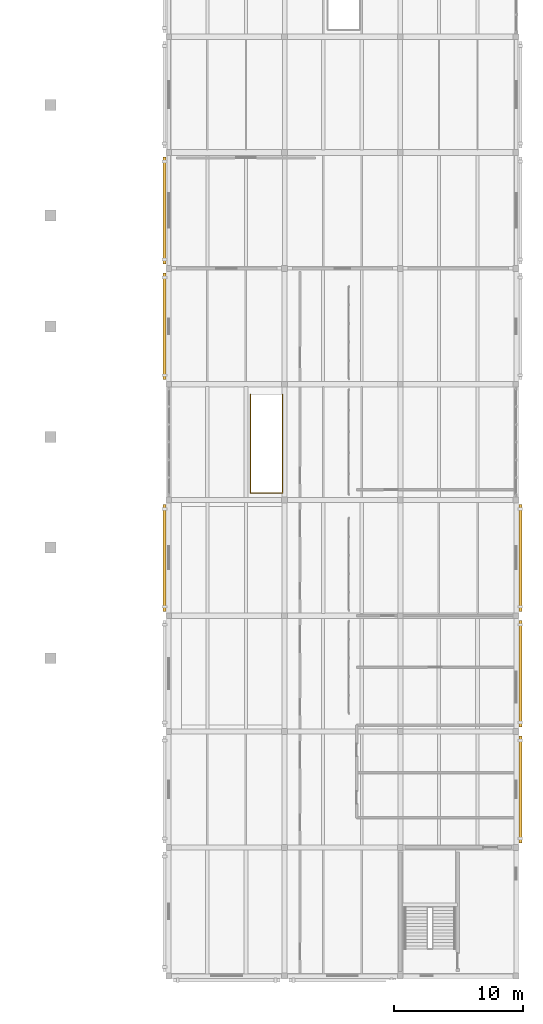
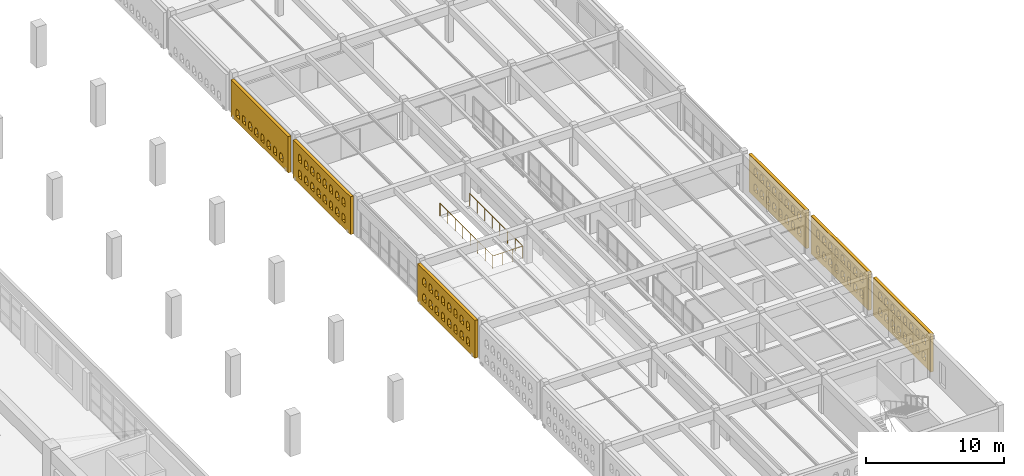
# One storey, part 78 of 80: 6 coverings, 1 railing.
"""IFC4 building model written with IfcOpenShell, lengths in metres."""

from ifc_helpers import new_model, si_unit, direction, frame, origin, origin_2d, place, context, subcontext, project, spatial, polyline, circle, outline, extrude, material, layer, layer_set, type_object, element, save


model = new_model("IFC4")

# Units and contexts
model_context = context("Model", 3, precision=1e-05, world=origin(), true_north=direction((0.0, 1.0)))
body_context = subcontext(model_context, "Body", "Model", "MODEL_VIEW")
ifc_project = project(units=[si_unit("LENGTHUNIT", "METRE"), si_unit("AREAUNIT", "SQUARE_METRE"), si_unit("VOLUMEUNIT", "CUBIC_METRE"), si_unit("PLANEANGLEUNIT", "RADIAN"), si_unit("MASSUNIT", "GRAM", prefix="KILO")], contexts=[model_context])

# Site, building, storey
site_placement = place(None, origin())
site = spatial("IfcSite", under=ifc_project, at=site_placement, CompositionType="ELEMENT")
building_placement = place(site_placement, origin())
building = spatial("IfcBuilding", under=site, at=building_placement, Name="Ornek Quay Market", CompositionType="ELEMENT")
storey_placement = place(building_placement, frame((0.0, 0.0, 8.39990234375)))
storey = spatial("IfcBuildingStorey", under=building, at=storey_placement, Name="L02", CompositionType="ELEMENT", Elevation=8.39990234375)

# Coverings
ifc_material_1 = material(Name="Frost-resistant facing clay brick M200 F100", Category="masonry")
ifc_layer = layer(ifc_material_1, 0.25, Name="Frost-resistant facing clay brick M200 F100", Category="masonry")
ifc_layer_set = layer_set([ifc_layer], Name="Frost-resistant facing clay brick M200 F100")
covering_type = type_object("IfcCoveringType", Name="COV-BRICK-LATTICE-250", PredefinedType="CLADDING", material=ifc_layer_set)
covering_1_placement = place(storey_placement, frame((152.669921875, 65.35009765625, 0.0), z_axis=(0.0, 0.0, 1.0), x_axis=(0.0, 1.0, 0.0)))
element("IfcCovering", 1, at=covering_1_placement, inside=storey, type_object=covering_type, Name="Arched brick lattice screen BLS-079", PredefinedType="CLADDING", context=body_context, shape_type="SweptSolid", body=[
    extrude(outline(polyline([(0.0, 0.0), (8.2998046875, 0.0), (8.2998046875, 3.2001953125), (0.0, 3.2001953125), (0.0, 0.0)]), holes=[polyline([(0.760009765625, 0.449951171875), (1.239990234375, 0.449951171875), (1.239990234375, 0.949951171875), (1.1201171875, 1.15771484375), (0.8798828125, 1.15771484375), (0.760009765625, 0.949951171875), (0.760009765625, 0.449951171875)]), polyline([(1.659912109375, 0.449951171875), (2.139892578125, 0.449951171875), (2.139892578125, 0.949951171875), (2.02001953125, 1.15771484375), (1.780029296875, 1.15771484375), (1.659912109375, 0.949951171875), (1.659912109375, 0.449951171875)]), polyline([(2.56005859375, 0.449951171875), (3.0400390625, 0.449951171875), (3.0400390625, 0.949951171875), (2.919921875, 1.15771484375), (2.679931640625, 1.15771484375), (2.56005859375, 0.949951171875), (2.56005859375, 0.449951171875)]), polyline([(3.4599609375, 0.449951171875), (3.93994140625, 0.449951171875), (3.93994140625, 0.949951171875), (3.820068359375, 1.15771484375), (3.580078125, 1.15771484375), (3.4599609375, 0.949951171875), (3.4599609375, 0.449951171875)]), polyline([(4.360107421875, 0.449951171875), (4.840087890625, 0.449951171875), (4.840087890625, 0.949951171875), (4.719970703125, 1.15771484375), (4.47998046875, 1.15771484375), (4.360107421875, 0.949951171875), (4.360107421875, 0.449951171875)]), polyline([(5.260009765625, 0.449951171875), (5.739990234375, 0.449951171875), (5.739990234375, 0.949951171875), (5.6201171875, 1.15771484375), (5.3798828125, 1.15771484375), (5.260009765625, 0.949951171875), (5.260009765625, 0.449951171875)]), polyline([(6.159912109375, 0.449951171875), (6.639892578125, 0.449951171875), (6.639892578125, 0.949951171875), (6.52001953125, 1.15771484375), (6.280029296875, 1.15771484375), (6.159912109375, 0.949951171875), (6.159912109375, 0.449951171875)]), polyline([(7.06005859375, 0.449951171875), (7.5400390625, 0.449951171875), (7.5400390625, 0.949951171875), (7.419921875, 1.15771484375), (7.179931640625, 1.15771484375), (7.06005859375, 0.949951171875), (7.06005859375, 0.449951171875)])]), frame((0.0, 0.125, 0.0), z_axis=(0.0, -1.0, 0.0), x_axis=(1.0, 0.0, 0.0)), (0.0, 0.0, 1.0), 0.25),
])
covering_2_placement = place(storey_placement, frame((152.669921875, 38.35009765625, 0.0), z_axis=(0.0, 0.0, 1.0), x_axis=(0.0, 1.0, 0.0)))
element("IfcCovering", 2, at=covering_2_placement, inside=storey, type_object=covering_type, Name="Arched brick lattice screen BLS-111", PredefinedType="CLADDING", context=body_context, shape_type="SweptSolid", body=[
    extrude(outline(polyline([(0.0, 0.0), (8.2998046875, 0.0), (8.2998046875, 3.35009765625), (0.0, 3.35009765625), (0.0, 0.0)]), holes=[polyline([(0.760009765625, 0.550048828125), (1.239990234375, 0.550048828125), (1.239990234375, 1.050048828125), (1.1201171875, 1.2578125), (0.8798828125, 1.2578125), (0.760009765625, 1.050048828125), (0.760009765625, 0.550048828125)]), polyline([(0.760009765625, 1.949951171875), (1.239990234375, 1.949951171875), (1.239990234375, 2.449951171875), (1.1201171875, 2.65771484375), (0.8798828125, 2.65771484375), (0.760009765625, 2.449951171875), (0.760009765625, 1.949951171875)]), polyline([(1.659912109375, 0.550048828125), (2.139892578125, 0.550048828125), (2.139892578125, 1.050048828125), (2.02001953125, 1.2578125), (1.780029296875, 1.2578125), (1.659912109375, 1.050048828125), (1.659912109375, 0.550048828125)]), polyline([(1.659912109375, 1.949951171875), (2.139892578125, 1.949951171875), (2.139892578125, 2.449951171875), (2.02001953125, 2.65771484375), (1.780029296875, 2.65771484375), (1.659912109375, 2.449951171875), (1.659912109375, 1.949951171875)]), polyline([(2.56005859375, 0.550048828125), (3.0400390625, 0.550048828125), (3.0400390625, 1.050048828125), (2.919921875, 1.2578125), (2.679931640625, 1.2578125), (2.56005859375, 1.050048828125), (2.56005859375, 0.550048828125)]), polyline([(2.56005859375, 1.949951171875), (3.0400390625, 1.949951171875), (3.0400390625, 2.449951171875), (2.919921875, 2.65771484375), (2.679931640625, 2.65771484375), (2.56005859375, 2.449951171875), (2.56005859375, 1.949951171875)]), polyline([(3.4599609375, 0.550048828125), (3.93994140625, 0.550048828125), (3.93994140625, 1.050048828125), (3.820068359375, 1.2578125), (3.580078125, 1.2578125), (3.4599609375, 1.050048828125), (3.4599609375, 0.550048828125)]), polyline([(3.4599609375, 1.949951171875), (3.93994140625, 1.949951171875), (3.93994140625, 2.449951171875), (3.820068359375, 2.65771484375), (3.580078125, 2.65771484375), (3.4599609375, 2.449951171875), (3.4599609375, 1.949951171875)]), polyline([(4.360107421875, 0.550048828125), (4.840087890625, 0.550048828125), (4.840087890625, 1.050048828125), (4.719970703125, 1.2578125), (4.47998046875, 1.2578125), (4.360107421875, 1.050048828125), (4.360107421875, 0.550048828125)]), polyline([(4.360107421875, 1.949951171875), (4.840087890625, 1.949951171875), (4.840087890625, 2.449951171875), (4.719970703125, 2.65771484375), (4.47998046875, 2.65771484375), (4.360107421875, 2.449951171875), (4.360107421875, 1.949951171875)]), polyline([(5.260009765625, 0.550048828125), (5.739990234375, 0.550048828125), (5.739990234375, 1.050048828125), (5.6201171875, 1.2578125), (5.3798828125, 1.2578125), (5.260009765625, 1.050048828125), (5.260009765625, 0.550048828125)]), polyline([(5.260009765625, 1.949951171875), (5.739990234375, 1.949951171875), (5.739990234375, 2.449951171875), (5.6201171875, 2.65771484375), (5.3798828125, 2.65771484375), (5.260009765625, 2.449951171875), (5.260009765625, 1.949951171875)]), polyline([(6.159912109375, 0.550048828125), (6.639892578125, 0.550048828125), (6.639892578125, 1.050048828125), (6.52001953125, 1.2578125), (6.280029296875, 1.2578125), (6.159912109375, 1.050048828125), (6.159912109375, 0.550048828125)]), polyline([(6.159912109375, 1.949951171875), (6.639892578125, 1.949951171875), (6.639892578125, 2.449951171875), (6.52001953125, 2.65771484375), (6.280029296875, 2.65771484375), (6.159912109375, 2.449951171875), (6.159912109375, 1.949951171875)]), polyline([(7.06005859375, 0.550048828125), (7.5400390625, 0.550048828125), (7.5400390625, 1.050048828125), (7.419921875, 1.2578125), (7.179931640625, 1.2578125), (7.06005859375, 1.050048828125), (7.06005859375, 0.550048828125)]), polyline([(7.06005859375, 1.949951171875), (7.5400390625, 1.949951171875), (7.5400390625, 2.449951171875), (7.419921875, 2.65771484375), (7.179931640625, 2.65771484375), (7.06005859375, 2.449951171875), (7.06005859375, 1.949951171875)])]), frame((0.0, 0.125, 0.0), z_axis=(0.0, -1.0, 0.0), x_axis=(1.0, 0.0, 0.0)), (0.0, 0.0, 1.0), 0.25),
])
covering_3_placement = place(storey_placement, frame((152.669921875, 56.35009765625, 0.0), z_axis=(0.0, 0.0, 1.0), x_axis=(0.0, 1.0, 0.0)))
element("IfcCovering", 3, at=covering_3_placement, inside=storey, type_object=covering_type, Name="Arched brick lattice screen BLS-112", PredefinedType="CLADDING", context=body_context, shape_type="SweptSolid", body=[
    extrude(outline(polyline([(0.0, 0.0), (8.2998046875, 0.0), (8.2998046875, 3.35009765625), (0.0, 3.35009765625), (0.0, 0.0)]), holes=[polyline([(0.760009765625, 0.550048828125), (1.239990234375, 0.550048828125), (1.239990234375, 1.050048828125), (1.1201171875, 1.2578125), (0.8798828125, 1.2578125), (0.760009765625, 1.050048828125), (0.760009765625, 0.550048828125)]), polyline([(0.760009765625, 1.949951171875), (1.239990234375, 1.949951171875), (1.239990234375, 2.449951171875), (1.1201171875, 2.65771484375), (0.8798828125, 2.65771484375), (0.760009765625, 2.449951171875), (0.760009765625, 1.949951171875)]), polyline([(1.659912109375, 0.550048828125), (2.139892578125, 0.550048828125), (2.139892578125, 1.050048828125), (2.02001953125, 1.2578125), (1.780029296875, 1.2578125), (1.659912109375, 1.050048828125), (1.659912109375, 0.550048828125)]), polyline([(1.659912109375, 1.949951171875), (2.139892578125, 1.949951171875), (2.139892578125, 2.449951171875), (2.02001953125, 2.65771484375), (1.780029296875, 2.65771484375), (1.659912109375, 2.449951171875), (1.659912109375, 1.949951171875)]), polyline([(2.56005859375, 0.550048828125), (3.0400390625, 0.550048828125), (3.0400390625, 1.050048828125), (2.919921875, 1.2578125), (2.679931640625, 1.2578125), (2.56005859375, 1.050048828125), (2.56005859375, 0.550048828125)]), polyline([(2.56005859375, 1.949951171875), (3.0400390625, 1.949951171875), (3.0400390625, 2.449951171875), (2.919921875, 2.65771484375), (2.679931640625, 2.65771484375), (2.56005859375, 2.449951171875), (2.56005859375, 1.949951171875)]), polyline([(3.4599609375, 0.550048828125), (3.93994140625, 0.550048828125), (3.93994140625, 1.050048828125), (3.820068359375, 1.2578125), (3.580078125, 1.2578125), (3.4599609375, 1.050048828125), (3.4599609375, 0.550048828125)]), polyline([(3.4599609375, 1.949951171875), (3.93994140625, 1.949951171875), (3.93994140625, 2.449951171875), (3.820068359375, 2.65771484375), (3.580078125, 2.65771484375), (3.4599609375, 2.449951171875), (3.4599609375, 1.949951171875)]), polyline([(4.360107421875, 0.550048828125), (4.840087890625, 0.550048828125), (4.840087890625, 1.050048828125), (4.719970703125, 1.2578125), (4.47998046875, 1.2578125), (4.360107421875, 1.050048828125), (4.360107421875, 0.550048828125)]), polyline([(4.360107421875, 1.949951171875), (4.840087890625, 1.949951171875), (4.840087890625, 2.449951171875), (4.719970703125, 2.65771484375), (4.47998046875, 2.65771484375), (4.360107421875, 2.449951171875), (4.360107421875, 1.949951171875)]), polyline([(5.260009765625, 0.550048828125), (5.739990234375, 0.550048828125), (5.739990234375, 1.050048828125), (5.6201171875, 1.2578125), (5.3798828125, 1.2578125), (5.260009765625, 1.050048828125), (5.260009765625, 0.550048828125)]), polyline([(5.260009765625, 1.949951171875), (5.739990234375, 1.949951171875), (5.739990234375, 2.449951171875), (5.6201171875, 2.65771484375), (5.3798828125, 2.65771484375), (5.260009765625, 2.449951171875), (5.260009765625, 1.949951171875)]), polyline([(6.159912109375, 0.550048828125), (6.639892578125, 0.550048828125), (6.639892578125, 1.050048828125), (6.52001953125, 1.2578125), (6.280029296875, 1.2578125), (6.159912109375, 1.050048828125), (6.159912109375, 0.550048828125)]), polyline([(6.159912109375, 1.949951171875), (6.639892578125, 1.949951171875), (6.639892578125, 2.449951171875), (6.52001953125, 2.65771484375), (6.280029296875, 2.65771484375), (6.159912109375, 2.449951171875), (6.159912109375, 1.949951171875)]), polyline([(7.06005859375, 0.550048828125), (7.5400390625, 0.550048828125), (7.5400390625, 1.050048828125), (7.419921875, 1.2578125), (7.179931640625, 1.2578125), (7.06005859375, 1.050048828125), (7.06005859375, 0.550048828125)]), polyline([(7.06005859375, 1.949951171875), (7.5400390625, 1.949951171875), (7.5400390625, 2.449951171875), (7.419921875, 2.65771484375), (7.179931640625, 2.65771484375), (7.06005859375, 2.449951171875), (7.06005859375, 1.949951171875)])]), frame((0.0, 0.125, 0.0), z_axis=(0.0, -1.0, 0.0), x_axis=(1.0, 0.0, 0.0)), (0.0, 0.0, 1.0), 0.25),
])
covering_4_placement = place(storey_placement, frame((180.330078125, 20.35009765625, 0.0), z_axis=(0.0, 0.0, 1.0), x_axis=(0.0, 1.0, 0.0)))
element("IfcCovering", 4, at=covering_4_placement, inside=storey, type_object=covering_type, Name="Arched brick lattice screen BLS-113", PredefinedType="CLADDING", context=body_context, shape_type="SweptSolid", body=[
    extrude(outline(polyline([(0.0, 0.0), (8.2998046875, 0.0), (8.2998046875, 3.35009765625), (0.0, 3.35009765625), (0.0, 0.0)]), holes=[polyline([(0.760009765625, 0.550048828125), (1.239990234375, 0.550048828125), (1.239990234375, 1.050048828125), (1.1201171875, 1.2578125), (0.8798828125, 1.2578125), (0.760009765625, 1.050048828125), (0.760009765625, 0.550048828125)]), polyline([(0.760009765625, 1.949951171875), (1.239990234375, 1.949951171875), (1.239990234375, 2.449951171875), (1.1201171875, 2.65771484375), (0.8798828125, 2.65771484375), (0.760009765625, 2.449951171875), (0.760009765625, 1.949951171875)]), polyline([(1.659912109375, 0.550048828125), (2.139892578125, 0.550048828125), (2.139892578125, 1.050048828125), (2.02001953125, 1.2578125), (1.780029296875, 1.2578125), (1.659912109375, 1.050048828125), (1.659912109375, 0.550048828125)]), polyline([(1.659912109375, 1.949951171875), (2.139892578125, 1.949951171875), (2.139892578125, 2.449951171875), (2.02001953125, 2.65771484375), (1.780029296875, 2.65771484375), (1.659912109375, 2.449951171875), (1.659912109375, 1.949951171875)]), polyline([(2.56005859375, 0.550048828125), (3.0400390625, 0.550048828125), (3.0400390625, 1.050048828125), (2.919921875, 1.2578125), (2.679931640625, 1.2578125), (2.56005859375, 1.050048828125), (2.56005859375, 0.550048828125)]), polyline([(2.56005859375, 1.949951171875), (3.0400390625, 1.949951171875), (3.0400390625, 2.449951171875), (2.919921875, 2.65771484375), (2.679931640625, 2.65771484375), (2.56005859375, 2.449951171875), (2.56005859375, 1.949951171875)]), polyline([(3.4599609375, 0.550048828125), (3.93994140625, 0.550048828125), (3.93994140625, 1.050048828125), (3.820068359375, 1.2578125), (3.580078125, 1.2578125), (3.4599609375, 1.050048828125), (3.4599609375, 0.550048828125)]), polyline([(3.4599609375, 1.949951171875), (3.93994140625, 1.949951171875), (3.93994140625, 2.449951171875), (3.820068359375, 2.65771484375), (3.580078125, 2.65771484375), (3.4599609375, 2.449951171875), (3.4599609375, 1.949951171875)]), polyline([(4.360107421875, 0.550048828125), (4.840087890625, 0.550048828125), (4.840087890625, 1.050048828125), (4.719970703125, 1.2578125), (4.47998046875, 1.2578125), (4.360107421875, 1.050048828125), (4.360107421875, 0.550048828125)]), polyline([(4.360107421875, 1.949951171875), (4.840087890625, 1.949951171875), (4.840087890625, 2.449951171875), (4.719970703125, 2.65771484375), (4.47998046875, 2.65771484375), (4.360107421875, 2.449951171875), (4.360107421875, 1.949951171875)]), polyline([(5.260009765625, 0.550048828125), (5.739990234375, 0.550048828125), (5.739990234375, 1.050048828125), (5.6201171875, 1.2578125), (5.3798828125, 1.2578125), (5.260009765625, 1.050048828125), (5.260009765625, 0.550048828125)]), polyline([(5.260009765625, 1.949951171875), (5.739990234375, 1.949951171875), (5.739990234375, 2.449951171875), (5.6201171875, 2.65771484375), (5.3798828125, 2.65771484375), (5.260009765625, 2.449951171875), (5.260009765625, 1.949951171875)]), polyline([(6.159912109375, 0.550048828125), (6.639892578125, 0.550048828125), (6.639892578125, 1.050048828125), (6.52001953125, 1.2578125), (6.280029296875, 1.2578125), (6.159912109375, 1.050048828125), (6.159912109375, 0.550048828125)]), polyline([(6.159912109375, 1.949951171875), (6.639892578125, 1.949951171875), (6.639892578125, 2.449951171875), (6.52001953125, 2.65771484375), (6.280029296875, 2.65771484375), (6.159912109375, 2.449951171875), (6.159912109375, 1.949951171875)]), polyline([(7.06005859375, 0.550048828125), (7.5400390625, 0.550048828125), (7.5400390625, 1.050048828125), (7.419921875, 1.2578125), (7.179931640625, 1.2578125), (7.06005859375, 1.050048828125), (7.06005859375, 0.550048828125)]), polyline([(7.06005859375, 1.949951171875), (7.5400390625, 1.949951171875), (7.5400390625, 2.449951171875), (7.419921875, 2.65771484375), (7.179931640625, 2.65771484375), (7.06005859375, 2.449951171875), (7.06005859375, 1.949951171875)])]), frame((0.0, 0.125, 0.0), z_axis=(0.0, -1.0, 0.0), x_axis=(1.0, 0.0, 0.0)), (0.0, 0.0, 1.0), 0.25),
])
covering_5_placement = place(storey_placement, frame((180.330078125, 29.35009765625, 0.0), z_axis=(0.0, 0.0, 1.0), x_axis=(0.0, 1.0, 0.0)))
element("IfcCovering", 5, at=covering_5_placement, inside=storey, type_object=covering_type, Name="Arched brick lattice screen BLS-114", PredefinedType="CLADDING", context=body_context, shape_type="SweptSolid", body=[
    extrude(outline(polyline([(0.0, 0.0), (8.2998046875, 0.0), (8.2998046875, 3.35009765625), (0.0, 3.35009765625), (0.0, 0.0)]), holes=[polyline([(0.760009765625, 0.550048828125), (1.239990234375, 0.550048828125), (1.239990234375, 1.050048828125), (1.1201171875, 1.2578125), (0.8798828125, 1.2578125), (0.760009765625, 1.050048828125), (0.760009765625, 0.550048828125)]), polyline([(0.760009765625, 1.949951171875), (1.239990234375, 1.949951171875), (1.239990234375, 2.449951171875), (1.1201171875, 2.65771484375), (0.8798828125, 2.65771484375), (0.760009765625, 2.449951171875), (0.760009765625, 1.949951171875)]), polyline([(1.659912109375, 0.550048828125), (2.139892578125, 0.550048828125), (2.139892578125, 1.050048828125), (2.02001953125, 1.2578125), (1.780029296875, 1.2578125), (1.659912109375, 1.050048828125), (1.659912109375, 0.550048828125)]), polyline([(1.659912109375, 1.949951171875), (2.139892578125, 1.949951171875), (2.139892578125, 2.449951171875), (2.02001953125, 2.65771484375), (1.780029296875, 2.65771484375), (1.659912109375, 2.449951171875), (1.659912109375, 1.949951171875)]), polyline([(2.56005859375, 0.550048828125), (3.0400390625, 0.550048828125), (3.0400390625, 1.050048828125), (2.919921875, 1.2578125), (2.679931640625, 1.2578125), (2.56005859375, 1.050048828125), (2.56005859375, 0.550048828125)]), polyline([(2.56005859375, 1.949951171875), (3.0400390625, 1.949951171875), (3.0400390625, 2.449951171875), (2.919921875, 2.65771484375), (2.679931640625, 2.65771484375), (2.56005859375, 2.449951171875), (2.56005859375, 1.949951171875)]), polyline([(3.4599609375, 0.550048828125), (3.93994140625, 0.550048828125), (3.93994140625, 1.050048828125), (3.820068359375, 1.2578125), (3.580078125, 1.2578125), (3.4599609375, 1.050048828125), (3.4599609375, 0.550048828125)]), polyline([(3.4599609375, 1.949951171875), (3.93994140625, 1.949951171875), (3.93994140625, 2.449951171875), (3.820068359375, 2.65771484375), (3.580078125, 2.65771484375), (3.4599609375, 2.449951171875), (3.4599609375, 1.949951171875)]), polyline([(4.360107421875, 0.550048828125), (4.840087890625, 0.550048828125), (4.840087890625, 1.050048828125), (4.719970703125, 1.2578125), (4.47998046875, 1.2578125), (4.360107421875, 1.050048828125), (4.360107421875, 0.550048828125)]), polyline([(4.360107421875, 1.949951171875), (4.840087890625, 1.949951171875), (4.840087890625, 2.449951171875), (4.719970703125, 2.65771484375), (4.47998046875, 2.65771484375), (4.360107421875, 2.449951171875), (4.360107421875, 1.949951171875)]), polyline([(5.260009765625, 0.550048828125), (5.739990234375, 0.550048828125), (5.739990234375, 1.050048828125), (5.6201171875, 1.2578125), (5.3798828125, 1.2578125), (5.260009765625, 1.050048828125), (5.260009765625, 0.550048828125)]), polyline([(5.260009765625, 1.949951171875), (5.739990234375, 1.949951171875), (5.739990234375, 2.449951171875), (5.6201171875, 2.65771484375), (5.3798828125, 2.65771484375), (5.260009765625, 2.449951171875), (5.260009765625, 1.949951171875)]), polyline([(6.159912109375, 0.550048828125), (6.639892578125, 0.550048828125), (6.639892578125, 1.050048828125), (6.52001953125, 1.2578125), (6.280029296875, 1.2578125), (6.159912109375, 1.050048828125), (6.159912109375, 0.550048828125)]), polyline([(6.159912109375, 1.949951171875), (6.639892578125, 1.949951171875), (6.639892578125, 2.449951171875), (6.52001953125, 2.65771484375), (6.280029296875, 2.65771484375), (6.159912109375, 2.449951171875), (6.159912109375, 1.949951171875)]), polyline([(7.06005859375, 0.550048828125), (7.5400390625, 0.550048828125), (7.5400390625, 1.050048828125), (7.419921875, 1.2578125), (7.179931640625, 1.2578125), (7.06005859375, 1.050048828125), (7.06005859375, 0.550048828125)]), polyline([(7.06005859375, 1.949951171875), (7.5400390625, 1.949951171875), (7.5400390625, 2.449951171875), (7.419921875, 2.65771484375), (7.179931640625, 2.65771484375), (7.06005859375, 2.449951171875), (7.06005859375, 1.949951171875)])]), frame((0.0, 0.125, 0.0), z_axis=(0.0, -1.0, 0.0), x_axis=(1.0, 0.0, 0.0)), (0.0, 0.0, 1.0), 0.25),
])
covering_6_placement = place(storey_placement, frame((180.330078125, 38.35009765625, 0.0), z_axis=(0.0, 0.0, 1.0), x_axis=(0.0, 1.0, 0.0)))
element("IfcCovering", 6, at=covering_6_placement, inside=storey, type_object=covering_type, Name="Arched brick lattice screen BLS-115", PredefinedType="CLADDING", context=body_context, shape_type="SweptSolid", body=[
    extrude(outline(polyline([(0.0, 0.0), (8.2998046875, 0.0), (8.2998046875, 3.35009765625), (0.0, 3.35009765625), (0.0, 0.0)]), holes=[polyline([(0.760009765625, 0.550048828125), (1.239990234375, 0.550048828125), (1.239990234375, 1.050048828125), (1.1201171875, 1.2578125), (0.8798828125, 1.2578125), (0.760009765625, 1.050048828125), (0.760009765625, 0.550048828125)]), polyline([(0.760009765625, 1.949951171875), (1.239990234375, 1.949951171875), (1.239990234375, 2.449951171875), (1.1201171875, 2.65771484375), (0.8798828125, 2.65771484375), (0.760009765625, 2.449951171875), (0.760009765625, 1.949951171875)]), polyline([(1.659912109375, 0.550048828125), (2.139892578125, 0.550048828125), (2.139892578125, 1.050048828125), (2.02001953125, 1.2578125), (1.780029296875, 1.2578125), (1.659912109375, 1.050048828125), (1.659912109375, 0.550048828125)]), polyline([(1.659912109375, 1.949951171875), (2.139892578125, 1.949951171875), (2.139892578125, 2.449951171875), (2.02001953125, 2.65771484375), (1.780029296875, 2.65771484375), (1.659912109375, 2.449951171875), (1.659912109375, 1.949951171875)]), polyline([(2.56005859375, 0.550048828125), (3.0400390625, 0.550048828125), (3.0400390625, 1.050048828125), (2.919921875, 1.2578125), (2.679931640625, 1.2578125), (2.56005859375, 1.050048828125), (2.56005859375, 0.550048828125)]), polyline([(2.56005859375, 1.949951171875), (3.0400390625, 1.949951171875), (3.0400390625, 2.449951171875), (2.919921875, 2.65771484375), (2.679931640625, 2.65771484375), (2.56005859375, 2.449951171875), (2.56005859375, 1.949951171875)]), polyline([(3.4599609375, 0.550048828125), (3.93994140625, 0.550048828125), (3.93994140625, 1.050048828125), (3.820068359375, 1.2578125), (3.580078125, 1.2578125), (3.4599609375, 1.050048828125), (3.4599609375, 0.550048828125)]), polyline([(3.4599609375, 1.949951171875), (3.93994140625, 1.949951171875), (3.93994140625, 2.449951171875), (3.820068359375, 2.65771484375), (3.580078125, 2.65771484375), (3.4599609375, 2.449951171875), (3.4599609375, 1.949951171875)]), polyline([(4.360107421875, 0.550048828125), (4.840087890625, 0.550048828125), (4.840087890625, 1.050048828125), (4.719970703125, 1.2578125), (4.47998046875, 1.2578125), (4.360107421875, 1.050048828125), (4.360107421875, 0.550048828125)]), polyline([(4.360107421875, 1.949951171875), (4.840087890625, 1.949951171875), (4.840087890625, 2.449951171875), (4.719970703125, 2.65771484375), (4.47998046875, 2.65771484375), (4.360107421875, 2.449951171875), (4.360107421875, 1.949951171875)]), polyline([(5.260009765625, 0.550048828125), (5.739990234375, 0.550048828125), (5.739990234375, 1.050048828125), (5.6201171875, 1.2578125), (5.3798828125, 1.2578125), (5.260009765625, 1.050048828125), (5.260009765625, 0.550048828125)]), polyline([(5.260009765625, 1.949951171875), (5.739990234375, 1.949951171875), (5.739990234375, 2.449951171875), (5.6201171875, 2.65771484375), (5.3798828125, 2.65771484375), (5.260009765625, 2.449951171875), (5.260009765625, 1.949951171875)]), polyline([(6.159912109375, 0.550048828125), (6.639892578125, 0.550048828125), (6.639892578125, 1.050048828125), (6.52001953125, 1.2578125), (6.280029296875, 1.2578125), (6.159912109375, 1.050048828125), (6.159912109375, 0.550048828125)]), polyline([(6.159912109375, 1.949951171875), (6.639892578125, 1.949951171875), (6.639892578125, 2.449951171875), (6.52001953125, 2.65771484375), (6.280029296875, 2.65771484375), (6.159912109375, 2.449951171875), (6.159912109375, 1.949951171875)]), polyline([(7.06005859375, 0.550048828125), (7.5400390625, 0.550048828125), (7.5400390625, 1.050048828125), (7.419921875, 1.2578125), (7.179931640625, 1.2578125), (7.06005859375, 1.050048828125), (7.06005859375, 0.550048828125)]), polyline([(7.06005859375, 1.949951171875), (7.5400390625, 1.949951171875), (7.5400390625, 2.449951171875), (7.419921875, 2.65771484375), (7.179931640625, 2.65771484375), (7.06005859375, 2.449951171875), (7.06005859375, 1.949951171875)])]), frame((0.0, 0.125, 0.0), z_axis=(0.0, -1.0, 0.0), x_axis=(1.0, 0.0, 0.0)), (0.0, 0.0, 1.0), 0.25),
])

# Railing
ifc_material_2 = material(Name="Painted steel S355 and vertical infill bars", Category="steel")
railing_type = type_object("IfcRailingType", Name="RL-GUARD-GAL-1100", PredefinedType="GUARDRAIL", material=ifc_material_2)
railing_placement = place(storey_placement, frame((159.360107421875, 55.199951171875, 0.0)))
element("IfcRailing", 7, at=railing_placement, inside=storey, type_object=railing_type, Name="Railing GR-01-114", PredefinedType="GUARDRAIL", context=body_context, shape_type="SweptSolid", body=[
    extrude(circle(Radius=0.02392578125, at=origin_2d()), frame((0.0, 0.0, 1.09619140625), z_axis=(0.0, -1.0, 0.0), x_axis=(1.0, 0.0, 0.0)), (0.0, 0.0, 1.0), 7.6298828125),
    extrude(circle(Radius=0.02392578125, at=origin_2d()), frame((0.030029296875, -7.659912109375, 1.09619140625), z_axis=(1.0, 0.0, 0.0), x_axis=(0.0, 1.0, 0.0)), (0.0, 0.0, 1.0), 2.419921875),
    extrude(circle(Radius=0.02392578125, at=origin_2d()), frame((2.47998046875, -7.6298828125, 1.09619140625), z_axis=(0.0, 1.0, 0.0), x_axis=(-1.0, 0.0, 0.0)), (0.0, 0.0, 1.0), 7.6298828125),
    extrude(circle(Radius=0.02099609375, at=origin_2d()), origin(), (0.0, 0.0, 1.0), 1.068115234375),
    extrude(circle(Radius=0.02099609375, at=origin_2d()), frame((0.0, -1.09423828125, 0.0)), (0.0, 0.0, 1.0), 1.068115234375),
    extrude(circle(Radius=0.02099609375, at=origin_2d()), frame((0.0, -2.1884765625, 0.0)), (0.0, 0.0, 1.0), 1.068115234375),
    extrude(circle(Radius=0.02099609375, at=origin_2d()), frame((0.0, -3.28271484375, 0.0)), (0.0, 0.0, 1.0), 1.068115234375),
    extrude(circle(Radius=0.02099609375, at=origin_2d()), frame((0.0, -4.377197265625, 0.0)), (0.0, 0.0, 1.0), 1.068115234375),
    extrude(circle(Radius=0.02099609375, at=origin_2d()), frame((0.0, -5.471435546875, 0.0)), (0.0, 0.0, 1.0), 1.068115234375),
    extrude(circle(Radius=0.02099609375, at=origin_2d()), frame((0.0, -6.565673828125, 0.0)), (0.0, 0.0, 1.0), 1.068115234375),
    extrude(circle(Radius=0.02099609375, at=origin_2d()), frame((0.0, -7.659912109375, 0.0)), (0.0, 0.0, 1.0), 1.068115234375),
    extrude(circle(Radius=0.02099609375, at=origin_2d()), frame((0.82666015625, -7.659912109375, 0.0)), (0.0, 0.0, 1.0), 1.068115234375),
    extrude(circle(Radius=0.02099609375, at=origin_2d()), frame((1.6533203125, -7.659912109375, 0.0)), (0.0, 0.0, 1.0), 1.068115234375),
    extrude(circle(Radius=0.02099609375, at=origin_2d()), frame((2.47998046875, -7.659912109375, 0.0)), (0.0, 0.0, 1.0), 1.068115234375),
    extrude(circle(Radius=0.02099609375, at=origin_2d()), frame((2.47998046875, -6.565673828125, 0.0)), (0.0, 0.0, 1.0), 1.068115234375),
    extrude(circle(Radius=0.02099609375, at=origin_2d()), frame((2.47998046875, -5.471435546875, 0.0)), (0.0, 0.0, 1.0), 1.068115234375),
    extrude(circle(Radius=0.02099609375, at=origin_2d()), frame((2.47998046875, -4.377197265625, 0.0)), (0.0, 0.0, 1.0), 1.068115234375),
    extrude(circle(Radius=0.02099609375, at=origin_2d()), frame((2.47998046875, -3.28271484375, 0.0)), (0.0, 0.0, 1.0), 1.068115234375),
    extrude(circle(Radius=0.02099609375, at=origin_2d()), frame((2.47998046875, -2.1884765625, 0.0)), (0.0, 0.0, 1.0), 1.068115234375),
    extrude(circle(Radius=0.02099609375, at=origin_2d()), frame((2.47998046875, -1.09423828125, 0.0)), (0.0, 0.0, 1.0), 1.068115234375),
    extrude(circle(Radius=0.02099609375, at=origin_2d()), frame((2.47998046875, 0.0, 0.0)), (0.0, 0.0, 1.0), 1.068115234375),
])

save(model, "model.ifc")
